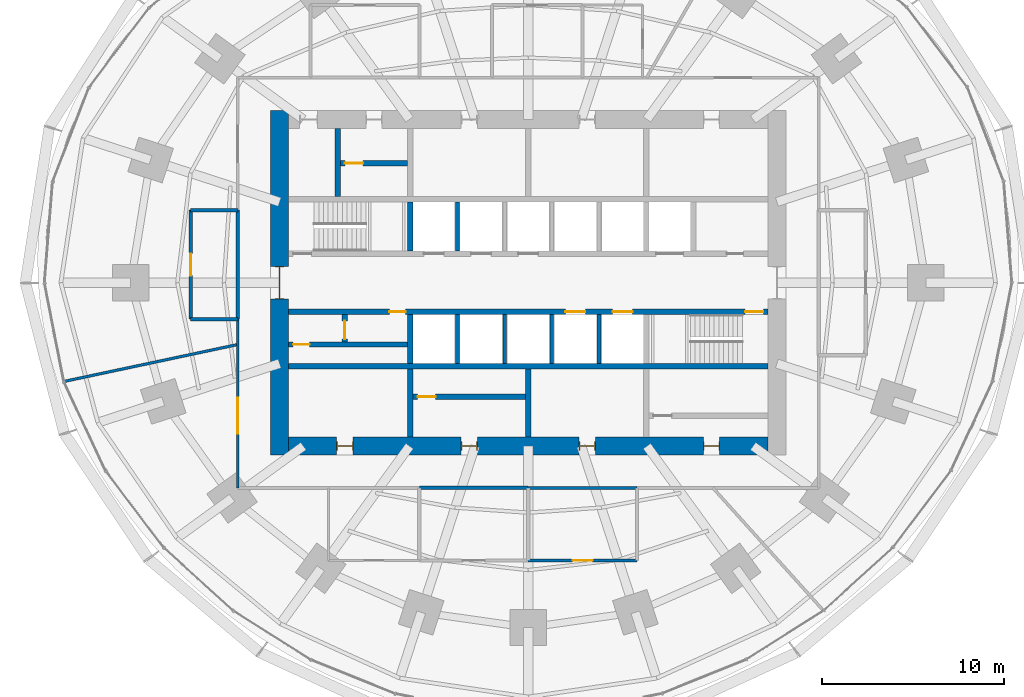
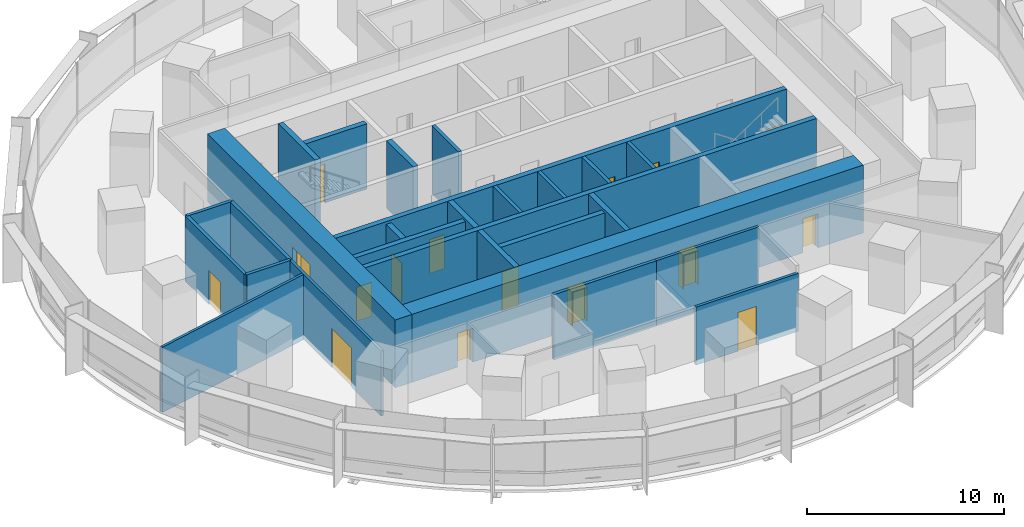
# One storey, part 11 of 15: 27 walls, 16 doors, 16 openings.
"""IFC4 building model written with IfcOpenShell, lengths in metres."""

from ifc_helpers import new_model, si_unit, direction, frame, frame_2d, origin, place, context, subcontext, project, spatial, rectangle, extrude, material, layer, layer_set, type_object, element, fill, save


model = new_model("IFC4")

# Units and contexts
model_context = context("Model", 3, precision=1e-05, world=origin(), true_north=direction((0.0, 1.0)))
body_context = subcontext(model_context, "Body", "Model", "MODEL_VIEW")
ifc_project = project(units=[si_unit("LENGTHUNIT", "METRE"), si_unit("AREAUNIT", "SQUARE_METRE"), si_unit("VOLUMEUNIT", "CUBIC_METRE"), si_unit("PLANEANGLEUNIT", "RADIAN"), si_unit("MASSUNIT", "GRAM", prefix="KILO")], contexts=[model_context])

# Site, building, storey
site_placement = place(None, origin())
site = spatial("IfcSite", under=ifc_project, at=site_placement, CompositionType="ELEMENT")
building_placement = place(site_placement, origin())
building = spatial("IfcBuilding", under=site, at=building_placement, Name="Marramba Exchange Tower", CompositionType="ELEMENT")
storey_placement = place(building_placement, frame((0.0, 0.0, 49.0)))
storey = spatial("IfcBuildingStorey", under=building, at=storey_placement, Name="L11", CompositionType="ELEMENT", Elevation=49.0)

# Wall, opening, door
ifc_material_1 = material(Name="Plasterboard on staggered double steel studs, acoustic insulation", Category="steel")
ifc_layer_1 = layer(ifc_material_1, 0.169921875)
ifc_layer_set_1 = layer_set([ifc_layer_1], Name="Acoustic partition 170")
wall_type_1 = type_object("IfcWallType", Name="Acoustic partition 170", PredefinedType="PARTITIONING", material=ifc_layer_set_1)
wall_1_placement = place(storey_placement, frame((0.0, -15.300048828125, 0.0), z_axis=(0.0, 0.0, 1.0), x_axis=(1.0, 0.0, 0.0)))
wall_1 = element("IfcWall", 1, at=wall_1_placement, inside=storey, type_object=wall_type_1, Name="Acoustic partition L11 11", PredefinedType="PARTITIONING", context=body_context, shape_type="SweptSolid", body=[
    extrude(rectangle(XDim=6.0, YDim=0.169921875, at=frame_2d((3.0, 0.0))), origin(), (0.0, 0.0, 1.0), 3.5859375),
])
opening_1_placement = place(wall_1_placement, frame((2.449951171875, 0.0, 0.0)))
opening_1 = element("IfcOpeningElement", 2, at=opening_1_placement, cuts=wall_1, Name="Opening D15", PredefinedType="OPENING", context=body_context, shape_type="SweptSolid", body=[
    extrude(rectangle(XDim=1.10009765625, YDim=2.39990234375, at=frame_2d((0.550048828125, 1.199951171875))), frame((0.0, 0.094970703125, 0.0), z_axis=(0.0, -1.0, 0.0), x_axis=(1.0, 0.0, 0.0)), (0.0, 0.0, 1.0), 0.18994140625),
])
ifc_material_2 = material(Name="Timber door", Category="wood")
door_type_1 = type_object("IfcDoorType", Name="Glazed meeting room door 1100x2400", OperationType="SINGLE_SWING_LEFT", PredefinedType="DOOR", material=ifc_material_2)
door_1_placement = place(opening_1_placement, origin())
door_1 = element("IfcDoor", 3, at=door_1_placement, inside=storey, type_object=door_type_1, Name="D15 Meeting Room 3 L11", OperationType="SINGLE_SWING_RIGHT", OverallHeight=2.39990234375, OverallWidth=1.10009765625, PredefinedType="DOOR", context=body_context, shape_type="SweptSolid", body=[
    extrude(rectangle(XDim=1.10009765625, YDim=2.39990234375, at=frame_2d((0.550048828125, 1.199951171875))), frame((0.0, 0.02490234375, 0.0), z_axis=(0.0, -1.0, 0.0), x_axis=(1.0, 0.0, 0.0)), (0.0, 0.0, 1.0), 0.050048828125),
])
fill(opening_1, door_1)

# Walls
wall_2_placement = place(storey_placement, frame((6.0, -11.300048828125, 0.0), z_axis=(0.0, 0.0, 1.0), x_axis=(-1.0, 0.0, 0.0)))
element("IfcWall", 4, at=wall_2_placement, inside=storey, type_object=wall_type_1, Name="Acoustic partition L11 12", PredefinedType="PARTITIONING", context=body_context, shape_type="SweptSolid", body=[
    extrude(rectangle(XDim=6.0, YDim=0.169921875, at=frame_2d((3.0, 0.0))), origin(), (0.0, 0.0, 1.0), 4.0400390625),
])
ifc_material_3 = material(Name="Concrete N50", Category="concrete")
ifc_layer_2 = layer(ifc_material_3, 0.199951171875)
ifc_layer_set_2 = layer_set([ifc_layer_2], Name="Core shaft wall 200")
wall_type_2 = type_object("IfcWallType", Name="Core shaft wall 200", PredefinedType="SHEAR", material=ifc_layer_set_2)
for number, where, z_axis, x_axis, name in (
    (5, (-3.89990234375, 1.75, 0.0), (0.0, 0.0, 1.0), (0.0, 1.0, 0.0), "Core wall SHN1 L11"),
    (6, (-3.89990234375, -1.75, 0.0), (0.0, 0.0, 1.0), (0.0, -1.0, 0.0), "Core wall SHS1 L11"),
    (7, (-1.300048828125, -1.75, 0.0), (0.0, 0.0, 1.0), (0.0, -1.0, 0.0), "Core wall SHS2 L11"),
    (8, (1.300048828125, -1.75, 0.0), (0.0, 0.0, 1.0), (0.0, -1.0, 0.0), "Core wall SHS3 L11"),
    (9, (3.89990234375, -1.75, 0.0), (0.0, 0.0, 1.0), (0.0, -1.0, 0.0), "Core wall SHS4 L11"),
):
    element("IfcWall", number, at=place(storey_placement, frame(where, z_axis=z_axis, x_axis=x_axis)), inside=storey, type_object=wall_type_2, Name=name, PredefinedType="SHEAR", context=body_context, shape_type="SweptSolid", body=[
        extrude(rectangle(XDim=2.699951171875, YDim=0.199951171875, at=frame_2d((1.35009765625, 0.0))), origin(), (0.0, 0.0, 1.0), 4.199951171875),
    ])

# Wall, openings, doors
ifc_layer_3 = layer(ifc_material_3, 1.0)
ifc_layer_set_3 = layer_set([ifc_layer_3], Name="Core wall 1000")
wall_type_3 = type_object("IfcWallType", Name="Core wall 1000", PredefinedType="SHEAR", material=ifc_layer_set_3)
wall_3_placement = place(storey_placement, frame((-13.199951171875, -9.0, 0.0), z_axis=(0.0, 0.0, 1.0), x_axis=(1.0, 0.0, 0.0)))
wall_3 = element("IfcWall", 10, at=wall_3_placement, inside=storey, type_object=wall_type_3, Name="Core wall S L11", PredefinedType="SHEAR", context=body_context, shape_type="SweptSolid", body=[
    extrude(rectangle(XDim=26.39990234375, YDim=1.0, at=frame_2d((13.199951171875, 0.0))), origin(), (0.0, 0.0, 1.0), 4.199951171875),
])
opening_2_placement = place(wall_3_placement, frame((2.64990234375, 0.0, 0.0)))
opening_2 = element("IfcOpeningElement", 11, at=opening_2_placement, cuts=wall_3, Name="Opening D5", PredefinedType="OPENING", context=body_context, shape_type="SweptSolid", body=[
    extrude(rectangle(XDim=0.89990234375, YDim=2.10009765625, at=frame_2d((0.449951171875, 1.050048828125))), frame((0.0, 0.510009765625, 0.0), z_axis=(0.0, -1.0, 0.0), x_axis=(1.0, 0.0, 0.0)), (0.0, 0.0, 1.0), 1.02001953125),
])
opening_3_placement = place(wall_3_placement, frame((9.5, 0.0, 0.0)))
opening_3 = element("IfcOpeningElement", 12, at=opening_3_placement, cuts=wall_3, Name="Opening D5", PredefinedType="OPENING", context=body_context, shape_type="SweptSolid", body=[
    extrude(rectangle(XDim=0.89990234375, YDim=2.10009765625, at=frame_2d((0.449951171875, 1.050048828125))), frame((0.0, 0.510009765625, 0.0), z_axis=(0.0, -1.0, 0.0), x_axis=(1.0, 0.0, 0.0)), (0.0, 0.0, 1.0), 1.02001953125),
])
opening_4_placement = place(wall_3_placement, frame((16.0, 0.0, 0.0)))
opening_4 = element("IfcOpeningElement", 13, at=opening_4_placement, cuts=wall_3, Name="Opening D5", PredefinedType="OPENING", context=body_context, shape_type="SweptSolid", body=[
    extrude(rectangle(XDim=0.89990234375, YDim=2.10009765625, at=frame_2d((0.449951171875, 1.050048828125))), frame((0.0, 0.510009765625, 0.0), z_axis=(0.0, -1.0, 0.0), x_axis=(1.0, 0.0, 0.0)), (0.0, 0.0, 1.0), 1.02001953125),
])
opening_5_placement = place(wall_3_placement, frame((22.85009765625, 0.0, 0.0)))
opening_5 = element("IfcOpeningElement", 14, at=opening_5_placement, cuts=wall_3, Name="Opening D5", PredefinedType="OPENING", context=body_context, shape_type="SweptSolid", body=[
    extrude(rectangle(XDim=0.89990234375, YDim=2.10009765625, at=frame_2d((0.449951171875, 1.050048828125))), frame((0.0, 0.510009765625, 0.0), z_axis=(0.0, -1.0, 0.0), x_axis=(1.0, 0.0, 0.0)), (0.0, 0.0, 1.0), 1.02001953125),
])
ifc_material_4 = material(Name="Steel-framed door", Category="steel")
door_type_2 = type_object("IfcDoorType", Name="Service door 900x2100", OperationType="SINGLE_SWING_LEFT", PredefinedType="DOOR", material=ifc_material_4)
door_2_placement = place(opening_2_placement, origin())
door_2 = element("IfcDoor", 15, at=door_2_placement, inside=storey, type_object=door_type_2, Name="D5 ahu L11", OperationType="SINGLE_SWING_LEFT", OverallHeight=2.10009765625, OverallWidth=0.89990234375, PredefinedType="DOOR", context=body_context, shape_type="SweptSolid", body=[
    extrude(rectangle(XDim=0.81982421875, YDim=2.06005859375, at=frame_2d((0.449951171875, 1.030029296875))), frame((0.0, 0.02490234375, 0.0), z_axis=(0.0, -1.0, 0.0), x_axis=(1.0, 0.0, 0.0)), (0.0, 0.0, 1.0), 0.050048828125),
    extrude(rectangle(XDim=0.04, YDim=2.10009765625, at=frame_2d((0.02001953125, 1.050048828125))), frame((0.0, 0.25, 0.0), z_axis=(0.0, -1.0, 0.0), x_axis=(1.0, 0.0, 0.0)), (0.0, 0.0, 1.0), 0.5),
    extrude(rectangle(XDim=0.04, YDim=2.10009765625, at=frame_2d((0.8798828125, 1.050048828125))), frame((0.0, 0.25, 0.0), z_axis=(0.0, -1.0, 0.0), x_axis=(1.0, 0.0, 0.0)), (0.0, 0.0, 1.0), 0.5),
    extrude(rectangle(XDim=0.81982421875, YDim=0.04, at=frame_2d((0.449951171875, 2.080078125))), frame((0.0, 0.25, 0.0), z_axis=(0.0, -1.0, 0.0), x_axis=(1.0, 0.0, 0.0)), (0.0, 0.0, 1.0), 0.5),
])
fill(opening_2, door_2)
door_3_placement = place(opening_3_placement, origin())
door_3 = element("IfcDoor", 16, at=door_3_placement, inside=storey, type_object=door_type_2, Name="D5 store L11", OperationType="SINGLE_SWING_RIGHT", OverallHeight=2.10009765625, OverallWidth=0.89990234375, PredefinedType="DOOR", context=body_context, shape_type="SweptSolid", body=[
    extrude(rectangle(XDim=0.81982421875, YDim=2.06005859375, at=frame_2d((0.449951171875, 1.030029296875))), frame((0.0, 0.02490234375, 0.0), z_axis=(0.0, -1.0, 0.0), x_axis=(1.0, 0.0, 0.0)), (0.0, 0.0, 1.0), 0.050048828125),
    extrude(rectangle(XDim=0.04, YDim=2.10009765625, at=frame_2d((0.02001953125, 1.050048828125))), frame((0.0, 0.25, 0.0), z_axis=(0.0, -1.0, 0.0), x_axis=(1.0, 0.0, 0.0)), (0.0, 0.0, 1.0), 0.5),
    extrude(rectangle(XDim=0.04, YDim=2.10009765625, at=frame_2d((0.8798828125, 1.050048828125))), frame((0.0, 0.25, 0.0), z_axis=(0.0, -1.0, 0.0), x_axis=(1.0, 0.0, 0.0)), (0.0, 0.0, 1.0), 0.5),
    extrude(rectangle(XDim=0.81982421875, YDim=0.04, at=frame_2d((0.449951171875, 2.080078125))), frame((0.0, 0.25, 0.0), z_axis=(0.0, -1.0, 0.0), x_axis=(1.0, 0.0, 0.0)), (0.0, 0.0, 1.0), 0.5),
])
fill(opening_3, door_3)
door_4_placement = place(opening_4_placement, origin())
door_4 = element("IfcDoor", 17, at=door_4_placement, inside=storey, type_object=door_type_2, Name="D5 switch L11", OperationType="SINGLE_SWING_RIGHT", OverallHeight=2.10009765625, OverallWidth=0.89990234375, PredefinedType="DOOR", context=body_context, shape_type="SweptSolid", body=[
    extrude(rectangle(XDim=0.81982421875, YDim=2.06005859375, at=frame_2d((0.449951171875, 1.030029296875))), frame((0.0, 0.02490234375, 0.0), z_axis=(0.0, -1.0, 0.0), x_axis=(1.0, 0.0, 0.0)), (0.0, 0.0, 1.0), 0.050048828125),
    extrude(rectangle(XDim=0.04, YDim=2.10009765625, at=frame_2d((0.02001953125, 1.050048828125))), frame((0.0, 0.25, 0.0), z_axis=(0.0, -1.0, 0.0), x_axis=(1.0, 0.0, 0.0)), (0.0, 0.0, 1.0), 0.5),
    extrude(rectangle(XDim=0.04, YDim=2.10009765625, at=frame_2d((0.8798828125, 1.050048828125))), frame((0.0, 0.25, 0.0), z_axis=(0.0, -1.0, 0.0), x_axis=(1.0, 0.0, 0.0)), (0.0, 0.0, 1.0), 0.5),
    extrude(rectangle(XDim=0.81982421875, YDim=0.04, at=frame_2d((0.449951171875, 2.080078125))), frame((0.0, 0.25, 0.0), z_axis=(0.0, -1.0, 0.0), x_axis=(1.0, 0.0, 0.0)), (0.0, 0.0, 1.0), 0.5),
])
fill(opening_4, door_4)
door_5_placement = place(opening_5_placement, origin())
door_5 = element("IfcDoor", 18, at=door_5_placement, inside=storey, type_object=door_type_2, Name="D5 cstore L11", OperationType="SINGLE_SWING_RIGHT", OverallHeight=2.10009765625, OverallWidth=0.89990234375, PredefinedType="DOOR", context=body_context, shape_type="SweptSolid", body=[
    extrude(rectangle(XDim=0.81982421875, YDim=2.06005859375, at=frame_2d((0.449951171875, 1.030029296875))), frame((0.0, 0.02490234375, 0.0), z_axis=(0.0, -1.0, 0.0), x_axis=(1.0, 0.0, 0.0)), (0.0, 0.0, 1.0), 0.050048828125),
    extrude(rectangle(XDim=0.04, YDim=2.10009765625, at=frame_2d((0.02001953125, 1.050048828125))), frame((0.0, 0.25, 0.0), z_axis=(0.0, -1.0, 0.0), x_axis=(1.0, 0.0, 0.0)), (0.0, 0.0, 1.0), 0.5),
    extrude(rectangle(XDim=0.04, YDim=2.10009765625, at=frame_2d((0.8798828125, 1.050048828125))), frame((0.0, 0.25, 0.0), z_axis=(0.0, -1.0, 0.0), x_axis=(1.0, 0.0, 0.0)), (0.0, 0.0, 1.0), 0.5),
    extrude(rectangle(XDim=0.81982421875, YDim=0.04, at=frame_2d((0.449951171875, 2.080078125))), frame((0.0, 0.25, 0.0), z_axis=(0.0, -1.0, 0.0), x_axis=(1.0, 0.0, 0.0)), (0.0, 0.0, 1.0), 0.5),
])
fill(opening_5, door_5)

# Wall, opening, door
wall_4_placement = place(storey_placement, frame((-13.699951171875, 9.5, 0.0), z_axis=(0.0, 0.0, 1.0), x_axis=(0.0, -1.0, 0.0)))
wall_4 = element("IfcWall", 19, at=wall_4_placement, inside=storey, type_object=wall_type_3, Name="Core wall W L11", PredefinedType="SHEAR", context=body_context, shape_type="SweptSolid", body=[
    extrude(rectangle(XDim=19.0, YDim=1.0, at=frame_2d((9.5, 0.0))), origin(), (0.0, 0.0, 1.0), 4.199951171875),
])
opening_6_placement = place(wall_4_placement, frame((8.60009765625, 0.0, 0.0)))
opening_6 = element("IfcOpeningElement", 20, at=opening_6_placement, cuts=wall_4, Name="Opening D1", PredefinedType="OPENING", context=body_context, shape_type="SweptSolid", body=[
    extrude(rectangle(XDim=1.800048828125, YDim=2.39990234375, at=frame_2d((0.89990234375, 1.199951171875))), frame((0.0, 0.510009765625, 0.0), z_axis=(0.0, -1.0, 0.0), x_axis=(1.0, 0.0, 0.0)), (0.0, 0.0, 1.0), 1.02001953125),
])
door_type_3 = type_object("IfcDoorType", Name="Lobby exit door 1800x2400", OperationType="DOUBLE_DOOR_SINGLE_SWING", PredefinedType="DOOR", material=ifc_material_4)
door_6_placement = place(opening_6_placement, origin())
door_6 = element("IfcDoor", 21, at=door_6_placement, inside=storey, type_object=door_type_3, Name="D1 lobby exit west L11", OperationType="DOUBLE_DOOR_SINGLE_SWING", OverallHeight=2.39990234375, OverallWidth=1.800048828125, PredefinedType="DOOR", context=body_context, shape_type="SweptSolid", body=[
    extrude(rectangle(XDim=1.719970703125, YDim=2.35986328125, at=frame_2d((0.89990234375, 1.179931640625))), frame((0.0, 0.02490234375, 0.0), z_axis=(0.0, -1.0, 0.0), x_axis=(1.0, 0.0, 0.0)), (0.0, 0.0, 1.0), 0.050048828125),
    extrude(rectangle(XDim=0.04, YDim=2.39990234375, at=frame_2d((0.02001953125, 1.199951171875))), frame((0.0, 0.25, 0.0), z_axis=(0.0, -1.0, 0.0), x_axis=(1.0, 0.0, 0.0)), (0.0, 0.0, 1.0), 0.5),
    extrude(rectangle(XDim=0.04, YDim=2.39990234375, at=frame_2d((1.780029296875, 1.199951171875))), frame((0.0, 0.25, 0.0), z_axis=(0.0, -1.0, 0.0), x_axis=(1.0, 0.0, 0.0)), (0.0, 0.0, 1.0), 0.5),
    extrude(rectangle(XDim=1.719970703125, YDim=0.04, at=frame_2d((0.89990234375, 2.3798828125))), frame((0.0, 0.25, 0.0), z_axis=(0.0, -1.0, 0.0), x_axis=(1.0, 0.0, 0.0)), (0.0, 0.0, 1.0), 0.5),
])
fill(opening_6, door_6)

# Wall, openings, doors
ifc_layer_4 = layer(ifc_material_3, 0.300048828125)
ifc_layer_set_4 = layer_set([ifc_layer_4], Name="Core wall 300")
wall_type_4 = type_object("IfcWallType", Name="Core wall 300", PredefinedType="SHEAR", material=ifc_layer_set_4)
wall_5_placement = place(storey_placement, frame((-13.199951171875, -1.60009765625, 0.0), z_axis=(0.0, 0.0, 1.0), x_axis=(1.0, 0.0, 0.0)))
wall_5 = element("IfcWall", 22, at=wall_5_placement, inside=storey, type_object=wall_type_4, Name="Core wall LS L11", PredefinedType="SHEAR", context=body_context, shape_type="SweptSolid", body=[
    extrude(rectangle(XDim=26.39990234375, YDim=0.300048828125, at=frame_2d((13.199951171875, 0.0))), origin(), (0.0, 0.0, 1.0), 4.199951171875),
])
opening_7_placement = place(wall_5_placement, frame((25.14990234375, 0.0, 0.0)))
opening_7 = element("IfcOpeningElement", 23, at=opening_7_placement, cuts=wall_5, Name="Opening D2", PredefinedType="OPENING", context=body_context, shape_type="SweptSolid", body=[
    extrude(rectangle(XDim=1.0, YDim=2.10009765625, at=frame_2d((0.5, 1.050048828125))), frame((0.0, 0.159912109375, 0.0), z_axis=(0.0, -1.0, 0.0), x_axis=(1.0, 0.0, 0.0)), (0.0, 0.0, 1.0), 0.320068359375),
])
opening_8_placement = place(wall_5_placement, frame((15.25, 0.0, 0.0)))
opening_8 = element("IfcOpeningElement", 24, at=opening_8_placement, cuts=wall_5, Name="Opening LD2", PredefinedType="OPENING", context=body_context, shape_type="SweptSolid", body=[
    extrude(rectangle(XDim=1.10009765625, YDim=2.300048828125, at=frame_2d((0.550048828125, 1.14990234375))), frame((0.0, 0.159912109375, 0.0), z_axis=(0.0, -1.0, 0.0), x_axis=(1.0, 0.0, 0.0)), (0.0, 0.0, 1.0), 0.320068359375),
])
opening_9_placement = place(wall_5_placement, frame((17.85009765625, 0.0, 0.0)))
opening_9 = element("IfcOpeningElement", 25, at=opening_9_placement, cuts=wall_5, Name="Opening LD2", PredefinedType="OPENING", context=body_context, shape_type="SweptSolid", body=[
    extrude(rectangle(XDim=1.10009765625, YDim=2.300048828125, at=frame_2d((0.550048828125, 1.14990234375))), frame((0.0, 0.159912109375, 0.0), z_axis=(0.0, -1.0, 0.0), x_axis=(1.0, 0.0, 0.0)), (0.0, 0.0, 1.0), 0.320068359375),
])
opening_10_placement = place(wall_5_placement, frame((5.550048828125, 0.0, 0.0)))
opening_10 = element("IfcOpeningElement", 26, at=opening_10_placement, cuts=wall_5, Name="Opening D5", PredefinedType="OPENING", context=body_context, shape_type="SweptSolid", body=[
    extrude(rectangle(XDim=0.89990234375, YDim=2.10009765625, at=frame_2d((0.449951171875, 1.050048828125))), frame((0.0, 0.159912109375, 0.0), z_axis=(0.0, -1.0, 0.0), x_axis=(1.0, 0.0, 0.0)), (0.0, 0.0, 1.0), 0.320068359375),
])
door_type_4 = type_object("IfcDoorType", Name="Emergency lift landing door 1100x2300", OperationType="SLIDING_TO_LEFT", PredefinedType="DOOR", material=ifc_material_4)
door_7_placement = place(opening_8_placement, frame((1.10009765625, 0.0, 0.0), z_axis=(0.0, 0.0, 1.0), x_axis=(-1.0, 0.0, 0.0)))
door_7 = element("IfcDoor", 27, at=door_7_placement, inside=storey, type_object=door_type_4, Name="FL1 landing door L11", OperationType="SLIDING_TO_RIGHT", OverallHeight=2.300048828125, OverallWidth=1.10009765625, PredefinedType="DOOR", context=body_context, shape_type="SweptSolid", body=[
    extrude(rectangle(XDim=1.10009765625, YDim=2.300048828125, at=frame_2d((0.550048828125, 1.14990234375))), frame((0.0, 0.025146484375, 0.0), z_axis=(0.0, -1.0, 0.0), x_axis=(1.0, 0.0, 0.0)), (0.0, 0.0, 1.0), 0.050048828125),
])
fill(opening_8, door_7)
door_8_placement = place(opening_9_placement, frame((1.10009765625, 0.0, 0.0), z_axis=(0.0, 0.0, 1.0), x_axis=(-1.0, 0.0, 0.0)))
door_8 = element("IfcDoor", 28, at=door_8_placement, inside=storey, type_object=door_type_4, Name="FL2 landing door L11", OperationType="SLIDING_TO_LEFT", OverallHeight=2.300048828125, OverallWidth=1.10009765625, PredefinedType="DOOR", context=body_context, shape_type="SweptSolid", body=[
    extrude(rectangle(XDim=1.10009765625, YDim=2.300048828125, at=frame_2d((0.550048828125, 1.14990234375))), frame((0.0, 0.025146484375, 0.0), z_axis=(0.0, -1.0, 0.0), x_axis=(1.0, 0.0, 0.0)), (0.0, 0.0, 1.0), 0.050048828125),
])
fill(opening_9, door_8)
door_9_placement = place(opening_10_placement, frame((0.89990234375, 0.0, 0.0), z_axis=(0.0, 0.0, 1.0), x_axis=(-1.0, 0.0, 0.0)))
door_9 = element("IfcDoor", 29, at=door_9_placement, inside=storey, type_object=door_type_2, Name="D5 electrical riser L11", OperationType="SINGLE_SWING_LEFT", OverallHeight=2.10009765625, OverallWidth=0.89990234375, PredefinedType="DOOR", context=body_context, shape_type="SweptSolid", body=[
    extrude(rectangle(XDim=0.89990234375, YDim=2.10009765625, at=frame_2d((0.449951171875, 1.050048828125))), frame((0.0, 0.025146484375, 0.0), z_axis=(0.0, -1.0, 0.0), x_axis=(1.0, 0.0, 0.0)), (0.0, 0.0, 1.0), 0.050048828125),
])
fill(opening_10, door_9)
door_type_5 = type_object("IfcDoorType", Name="Stair door 1000x2100", OperationType="SINGLE_SWING_LEFT", PredefinedType="DOOR", material=ifc_material_4)
door_10_placement = place(opening_7_placement, frame((1.0, 0.0, 0.0), z_axis=(0.0, 0.0, 1.0), x_axis=(-1.0, 0.0, 0.0)))
door_10 = element("IfcDoor", 30, at=door_10_placement, inside=storey, type_object=door_type_5, Name="D2 stair ST2 L11", OperationType="SINGLE_SWING_LEFT", OverallHeight=2.10009765625, OverallWidth=1.0, PredefinedType="DOOR", context=body_context, shape_type="SweptSolid", body=[
    extrude(rectangle(XDim=1.0, YDim=2.10009765625, at=frame_2d((0.5, 1.050048828125))), frame((0.0, 0.025146484375, 0.0), z_axis=(0.0, -1.0, 0.0), x_axis=(1.0, 0.0, 0.0)), (0.0, 0.0, 1.0), 0.050048828125),
])
fill(opening_7, door_10)

# Walls
wall_6_placement = place(storey_placement, frame((-13.199951171875, -4.60009765625, 0.0), z_axis=(0.0, 0.0, 1.0), x_axis=(1.0, 0.0, 0.0)))
element("IfcWall", 31, at=wall_6_placement, inside=storey, type_object=wall_type_4, Name="Core wall BS L11", PredefinedType="SHEAR", context=body_context, shape_type="SweptSolid", body=[
    extrude(rectangle(XDim=26.39990234375, YDim=0.300048828125, at=frame_2d((13.199951171875, 0.0))), origin(), (0.0, 0.0, 1.0), 4.199951171875),
])
for number, where, z_axis, x_axis, name in (
    (32, (-6.5, 1.75, 0.0), (0.0, 0.0, 1.0), (0.0, 1.0, 0.0), "Core wall X0Na L11"),
    (33, (-6.5, -1.75, 0.0), (0.0, 0.0, 1.0), (0.0, -1.0, 0.0), "Core wall X0Sa L11"),
):
    element("IfcWall", number, at=place(storey_placement, frame(where, z_axis=z_axis, x_axis=x_axis)), inside=storey, type_object=wall_type_4, Name=name, PredefinedType="SHEAR", context=body_context, shape_type="SweptSolid", body=[
        extrude(rectangle(XDim=2.699951171875, YDim=0.300048828125, at=frame_2d((1.35009765625, 0.0))), origin(), (0.0, 0.0, 1.0), 4.199951171875),
    ])
for number, where, z_axis, x_axis, name in (
    (34, (-6.5, -4.75, 0.0), (0.0, 0.0, 1.0), (0.0, -1.0, 0.0), "Core wall X0Sb L11"),
    (35, (0.0, -4.75, 0.0), (0.0, 0.0, 1.0), (0.0, -1.0, 0.0), "Core wall MS L11"),
    (36, (-10.5, 4.75, 0.0), (0.0, 0.0, 1.0), (0.0, 1.0, 0.0), "Core wall WD L11"),
):
    element("IfcWall", number, at=place(storey_placement, frame(where, z_axis=z_axis, x_axis=x_axis)), inside=storey, type_object=wall_type_4, Name=name, PredefinedType="SHEAR", context=body_context, shape_type="SweptSolid", body=[
        extrude(rectangle(XDim=3.75, YDim=0.300048828125, at=frame_2d((1.875, 0.0))), origin(), (0.0, 0.0, 1.0), 4.199951171875),
    ])
ifc_material_5 = material(Name="Core-filled concrete blockwork, rendered", Category="masonry")
ifc_layer_5 = layer(ifc_material_5, 0.18994140625)
ifc_layer_set_5 = layer_set([ifc_layer_5], Name="Equipment room wall 190")
wall_type_5 = type_object("IfcWallType", Name="Equipment room wall 190", PredefinedType="SOLIDWALL", material=ifc_layer_set_5)
wall_7_placement = place(storey_placement, frame((-18.60009765625, -2.0, 0.0), z_axis=(0.0, 0.0, 1.0), x_axis=(1.0, 0.0, 0.0)))
element("IfcWall", 37, at=wall_7_placement, inside=storey, type_object=wall_type_5, Name="Equipment room wall L11 01", PredefinedType="SOLIDWALL", context=body_context, shape_type="SweptSolid", body=[
    extrude(rectangle(XDim=2.60009765625, YDim=0.18994140625, at=frame_2d((1.300048828125, 0.0))), origin(), (0.0, 0.0, 1.0), 4.0400390625),
])
wall_8_placement = place(storey_placement, frame((0.0, -11.300048828125, 0.0), z_axis=(0.0, 0.0, 1.0), x_axis=(-1.0, 0.0, 0.0)))
element("IfcWall", 38, at=wall_8_placement, inside=storey, type_object=wall_type_5, Name="Equipment room wall L11 08", PredefinedType="SOLIDWALL", context=body_context, shape_type="SweptSolid", body=[
    extrude(rectangle(XDim=6.0, YDim=0.18994140625, at=frame_2d((3.0, 0.0))), origin(), (0.0, 0.0, 1.0), 4.0400390625),
])
wall_9_placement = place(storey_placement, frame((-16.0, 4.0, 0.0), z_axis=(0.0, 0.0, 1.0), x_axis=(-1.0, 0.0, 0.0)))
element("IfcWall", 39, at=wall_9_placement, inside=storey, type_object=wall_type_5, Name="Equipment room wall L11 37", PredefinedType="SOLIDWALL", context=body_context, shape_type="SweptSolid", body=[
    extrude(rectangle(XDim=2.60009765625, YDim=0.18994140625, at=frame_2d((1.300048828125, 0.0))), origin(), (0.0, 0.0, 1.0), 4.0400390625),
])
wall_10_placement = place(storey_placement, frame((-16.0, -2.0, 0.0), z_axis=(0.0, 0.0, 1.0), x_axis=(0.0, 1.0, 0.0)))
element("IfcWall", 40, at=wall_10_placement, inside=storey, type_object=wall_type_5, Name="Equipment room wall L11 38", PredefinedType="SOLIDWALL", context=body_context, shape_type="SweptSolid", body=[
    extrude(rectangle(XDim=6.0, YDim=0.18994140625, at=frame_2d((3.0, 0.0))), origin(), (0.0, 0.0, 1.0), 4.0400390625),
])

# Wall, opening, door
wall_11_placement = place(storey_placement, frame((-18.60009765625, 4.0, 0.0), z_axis=(0.0, 0.0, 1.0), x_axis=(0.0, -1.0, 0.0)))
wall_11 = element("IfcWall", 41, at=wall_11_placement, inside=storey, type_object=wall_type_5, Name="Equipment room wall L11 39", PredefinedType="SOLIDWALL", context=body_context, shape_type="SweptSolid", body=[
    extrude(rectangle(XDim=6.0, YDim=0.18994140625, at=frame_2d((3.0, 0.0))), origin(), (0.0, 0.0, 1.0), 4.0400390625),
])
opening_11_placement = place(wall_11_placement, frame((2.39990234375, 0.0, 0.0)))
opening_11 = element("IfcOpeningElement", 42, at=opening_11_placement, cuts=wall_11, Name="Opening D16", PredefinedType="OPENING", context=body_context, shape_type="SweptSolid", body=[
    extrude(rectangle(XDim=1.199951171875, YDim=2.10009765625, at=frame_2d((0.60009765625, 1.050048828125))), frame((0.0, 0.10498046875, 0.0), z_axis=(0.0, -1.0, 0.0), x_axis=(1.0, 0.0, 0.0)), (0.0, 0.0, 1.0), 0.2099609375),
])
door_type_6 = type_object("IfcDoorType", Name="Equipment room door 1200x2100", OperationType="SINGLE_SWING_LEFT", PredefinedType="DOOR", material=ifc_material_4)
door_11_placement = place(opening_11_placement, origin())
door_11 = element("IfcDoor", 43, at=door_11_placement, inside=storey, type_object=door_type_6, Name="D16 Data Room 2 L11", OperationType="SINGLE_SWING_RIGHT", OverallHeight=2.10009765625, OverallWidth=1.199951171875, PredefinedType="DOOR", context=body_context, shape_type="SweptSolid", body=[
    extrude(rectangle(XDim=1.199951171875, YDim=2.10009765625, at=frame_2d((0.60009765625, 1.050048828125))), frame((0.0, 0.02490234375, 0.0), z_axis=(0.0, -1.0, 0.0), x_axis=(1.0, 0.0, 0.0)), (0.0, 0.0, 1.0), 0.050048828125),
])
fill(opening_11, door_11)

ifc_material_6 = material(Name="Core-filled concrete blockwork", Category="masonry")
ifc_layer_6 = layer(ifc_material_6, 0.300048828125)
ifc_layer_set_6 = layer_set([ifc_layer_6], Name="Riser enclosure wall 300")
wall_type_6 = type_object("IfcWallType", Name="Riser enclosure wall 300", PredefinedType="SOLIDWALL", material=ifc_layer_set_6)
wall_12_placement = place(storey_placement, frame((-13.199951171875, -3.39990234375, 0.0), z_axis=(0.0, 0.0, 1.0), x_axis=(1.0, 0.0, 0.0)))
wall_12 = element("IfcWall", 44, at=wall_12_placement, inside=storey, type_object=wall_type_6, Name="Riser enclosure wall L11", PredefinedType="SOLIDWALL", context=body_context, shape_type="SweptSolid", body=[
    extrude(rectangle(XDim=6.550048828125, YDim=0.300048828125, at=frame_2d((3.27490234375, 0.0))), origin(), (0.0, 0.0, 1.0), 4.0400390625),
])
opening_12_placement = place(wall_12_placement, frame((0.25, 0.0, 0.0)))
opening_12 = element("IfcOpeningElement", 45, at=opening_12_placement, cuts=wall_12, Name="Opening D5", PredefinedType="OPENING", context=body_context, shape_type="SweptSolid", body=[
    extrude(rectangle(XDim=0.89990234375, YDim=2.10009765625, at=frame_2d((0.449951171875, 1.050048828125))), frame((0.0, 0.159912109375, 0.0), z_axis=(0.0, -1.0, 0.0), x_axis=(1.0, 0.0, 0.0)), (0.0, 0.0, 1.0), 0.320068359375),
])
door_12_placement = place(opening_12_placement, origin())
door_12 = element("IfcDoor", 46, at=door_12_placement, inside=storey, type_object=door_type_2, Name="D5 electrical riser back L11", OperationType="SINGLE_SWING_LEFT", OverallHeight=2.10009765625, OverallWidth=0.89990234375, PredefinedType="DOOR", context=body_context, shape_type="SweptSolid", body=[
    extrude(rectangle(XDim=0.89990234375, YDim=2.10009765625, at=frame_2d((0.449951171875, 1.050048828125))), frame((0.0, 0.02490234375, 0.0), z_axis=(0.0, -1.0, 0.0), x_axis=(1.0, 0.0, 0.0)), (0.0, 0.0, 1.0), 0.050048828125),
])
fill(opening_12, door_12)

ifc_material_7 = material(Name="Plasterboard on steel studs, insulated, unrated", Category="steel")
ifc_layer_7 = layer(ifc_material_7, 0.300048828125)
ifc_layer_set_7 = layer_set([ifc_layer_7], Name="Store partition 300")
wall_type_7 = type_object("IfcWallType", Name="Store partition 300", PredefinedType="PARTITIONING", material=ifc_layer_set_7)
wall_13_placement = place(storey_placement, frame((-10.35009765625, 6.580078125, 0.0), z_axis=(0.0, 0.0, 1.0), x_axis=(1.0, 0.0, 0.0)))
wall_13 = element("IfcWall", 47, at=wall_13_placement, inside=storey, type_object=wall_type_7, Name="Store partition L11 cleaner", PredefinedType="PARTITIONING", context=body_context, shape_type="SweptSolid", body=[
    extrude(rectangle(XDim=3.7001953125, YDim=0.300048828125, at=frame_2d((1.85009765625, 0.0))), origin(), (0.0, 0.0, 1.0), 4.0400390625),
])
opening_13_placement = place(wall_13_placement, frame((0.25, 0.0, 0.0)))
opening_13 = element("IfcOpeningElement", 48, at=opening_13_placement, cuts=wall_13, Name="Opening D9", PredefinedType="OPENING", context=body_context, shape_type="SweptSolid", body=[
    extrude(rectangle(XDim=1.0, YDim=2.39990234375, at=frame_2d((0.5, 1.199951171875))), frame((0.0, 0.159912109375, 0.0), z_axis=(0.0, -1.0, 0.0), x_axis=(1.0, 0.0, 0.0)), (0.0, 0.0, 1.0), 0.320068359375),
])
door_type_7 = type_object("IfcDoorType", Name="Room door 1000x2400", OperationType="SINGLE_SWING_LEFT", PredefinedType="DOOR", material=ifc_material_2)
door_13_placement = place(opening_13_placement, frame((1.0, 0.0, 0.0), z_axis=(0.0, 0.0, 1.0), x_axis=(-1.0, 0.0, 0.0)))
door_13 = element("IfcDoor", 49, at=door_13_placement, inside=storey, type_object=door_type_7, Name="D9 cleaning store L11", OperationType="SINGLE_SWING_RIGHT", OverallHeight=2.39990234375, OverallWidth=1.0, PredefinedType="DOOR", context=body_context, shape_type="SweptSolid", body=[
    extrude(rectangle(XDim=1.0, YDim=2.39990234375, at=frame_2d((0.5, 1.199951171875))), frame((0.0, 0.025146484375, 0.0), z_axis=(0.0, -1.0, 0.0), x_axis=(1.0, 0.0, 0.0)), (0.0, 0.0, 1.0), 0.050048828125),
])
fill(opening_13, door_13)

wall_14_placement = place(storey_placement, frame((-6.35009765625, -6.27197265625, 0.0), z_axis=(0.0, 0.0, 1.0), x_axis=(1.0, 0.0, 0.0)))
wall_14 = element("IfcWall", 50, at=wall_14_placement, inside=storey, type_object=wall_type_7, Name="Store partition L11 store", PredefinedType="PARTITIONING", context=body_context, shape_type="SweptSolid", body=[
    extrude(rectangle(XDim=6.2001953125, YDim=0.300048828125, at=frame_2d((3.10009765625, 0.0))), origin(), (0.0, 0.0, 1.0), 4.0400390625),
])
opening_14_placement = place(wall_14_placement, frame((0.25, 0.0, 0.0)))
opening_14 = element("IfcOpeningElement", 51, at=opening_14_placement, cuts=wall_14, Name="Opening D9", PredefinedType="OPENING", context=body_context, shape_type="SweptSolid", body=[
    extrude(rectangle(XDim=1.0, YDim=2.39990234375, at=frame_2d((0.5, 1.199951171875))), frame((0.0, 0.159912109375, 0.0), z_axis=(0.0, -1.0, 0.0), x_axis=(1.0, 0.0, 0.0)), (0.0, 0.0, 1.0), 0.320068359375),
])
door_14_placement = place(opening_14_placement, origin())
door_14 = element("IfcDoor", 52, at=door_14_placement, inside=storey, type_object=door_type_7, Name="D9 stationery store L11", OperationType="SINGLE_SWING_LEFT", OverallHeight=2.39990234375, OverallWidth=1.0, PredefinedType="DOOR", context=body_context, shape_type="SweptSolid", body=[
    extrude(rectangle(XDim=1.0, YDim=2.39990234375, at=frame_2d((0.5, 1.199951171875))), frame((0.0, 0.02490234375, 0.0), z_axis=(0.0, -1.0, 0.0), x_axis=(1.0, 0.0, 0.0)), (0.0, 0.0, 1.0), 0.050048828125),
])
fill(opening_14, door_14)

wall_15_placement = place(storey_placement, frame((-10.10009765625, -3.25, 0.0), z_axis=(0.0, 0.0, 1.0), x_axis=(0.0, 1.0, 0.0)))
wall_15 = element("IfcWall", 53, at=wall_15_placement, inside=storey, type_object=wall_type_7, Name="Store partition L11 tool store", PredefinedType="PARTITIONING", context=body_context, shape_type="SweptSolid", body=[
    extrude(rectangle(XDim=1.5, YDim=0.300048828125, at=frame_2d((0.75, 0.0))), origin(), (0.0, 0.0, 1.0), 4.0400390625),
])
opening_15_placement = place(wall_15_placement, frame((0.14990234375, 0.0, 0.0)))
opening_15 = element("IfcOpeningElement", 54, at=opening_15_placement, cuts=wall_15, Name="Opening D9", PredefinedType="OPENING", context=body_context, shape_type="SweptSolid", body=[
    extrude(rectangle(XDim=1.0, YDim=2.39990234375, at=frame_2d((0.5, 1.199951171875))), frame((0.0, 0.159912109375, 0.0), z_axis=(0.0, -1.0, 0.0), x_axis=(1.0, 0.0, 0.0)), (0.0, 0.0, 1.0), 0.320068359375),
])
door_15_placement = place(opening_15_placement, origin())
door_15 = element("IfcDoor", 55, at=door_15_placement, inside=storey, type_object=door_type_7, Name="D9 tool store L11", OperationType="SINGLE_SWING_LEFT", OverallHeight=2.39990234375, OverallWidth=1.0, PredefinedType="DOOR", context=body_context, shape_type="SweptSolid", body=[
    extrude(rectangle(XDim=1.0, YDim=2.39990234375, at=frame_2d((0.5, 1.199951171875))), frame((0.0, 0.02490234375, 0.0), z_axis=(0.0, -1.0, 0.0), x_axis=(1.0, 0.0, 0.0)), (0.0, 0.0, 1.0), 0.050048828125),
])
fill(opening_15, door_15)

# Wall
ifc_material_8 = material(Name="Fire-rated plasterboard on steel studs, acoustic insulation", Category="steel")
ifc_layer_8 = layer(ifc_material_8, 0.14990234375)
ifc_layer_set_8 = layer_set([ifc_layer_8], Name="Tenancy wall 150")
wall_type_8 = type_object("IfcWallType", Name="Tenancy wall 150", PredefinedType="PARTITIONING", material=ifc_layer_set_8)
wall_16_placement = place(storey_placement, frame((-16.0, -3.40087890625, 0.0), z_axis=(0.0, 0.0, 1.0), x_axis=(-0.978145186273, -0.207923049637, 0.0)))
element("IfcWall", 56, at=wall_16_placement, inside=storey, type_object=wall_type_8, Name="Tenancy wall L11 02", PredefinedType="PARTITIONING", context=body_context, shape_type="SweptSolid", body=[
    extrude(rectangle(XDim=9.71875, YDim=0.14990234375, at=frame_2d((4.859375, 0.0))), origin(), (0.0, 0.0, 1.0), 4.0400390625),
])

# Wall, opening, door
wall_17_placement = place(storey_placement, frame((-16.0, -2.0, 0.0), z_axis=(0.0, 0.0, 1.0), x_axis=(0.0, -1.0, 0.0)))
wall_17 = element("IfcWall", 57, at=wall_17_placement, inside=storey, type_object=wall_type_8, Name="Tenancy wall L11 03", PredefinedType="PARTITIONING", context=body_context, shape_type="SweptSolid", body=[
    extrude(rectangle(XDim=9.300048828125, YDim=0.14990234375, at=frame_2d((4.64990234375, 0.0))), origin(), (0.0, 0.0, 1.0), 4.0400390625),
])
opening_16_placement = place(wall_17_placement, frame((4.324951171875, 0.0, 0.0)))
opening_16 = element("IfcOpeningElement", 58, at=opening_16_placement, cuts=wall_17, Name="Opening D17", PredefinedType="OPENING", context=body_context, shape_type="SweptSolid", body=[
    extrude(rectangle(XDim=2.0, YDim=2.39990234375, at=frame_2d((1.0, 1.199951171875))), frame((0.0, 0.0849609375, 0.0), z_axis=(0.0, -1.0, 0.0), x_axis=(1.0, 0.0, 0.0)), (0.0, 0.0, 1.0), 0.169921875),
])
door_type_8 = type_object("IfcDoorType", Name="Trading floor entry door pair 2000x2400", OperationType="DOUBLE_DOOR_SINGLE_SWING", PredefinedType="DOOR", material=ifc_material_4)
door_16_placement = place(opening_16_placement, origin())
door_16 = element("IfcDoor", 59, at=door_16_placement, inside=storey, type_object=door_type_8, Name="D17 Trading Floor 3 L11", OperationType="DOUBLE_DOOR_SINGLE_SWING", OverallHeight=2.39990234375, OverallWidth=2.0, PredefinedType="DOOR", context=body_context, shape_type="SweptSolid", body=[
    extrude(rectangle(XDim=2.0, YDim=2.39990234375, at=frame_2d((1.0, 1.199951171875))), frame((0.0, 0.02490234375, 0.0), z_axis=(0.0, -1.0, 0.0), x_axis=(1.0, 0.0, 0.0)), (0.0, 0.0, 1.0), 0.050048828125),
])
fill(opening_16, door_16)

save(model, "model.ifc")
